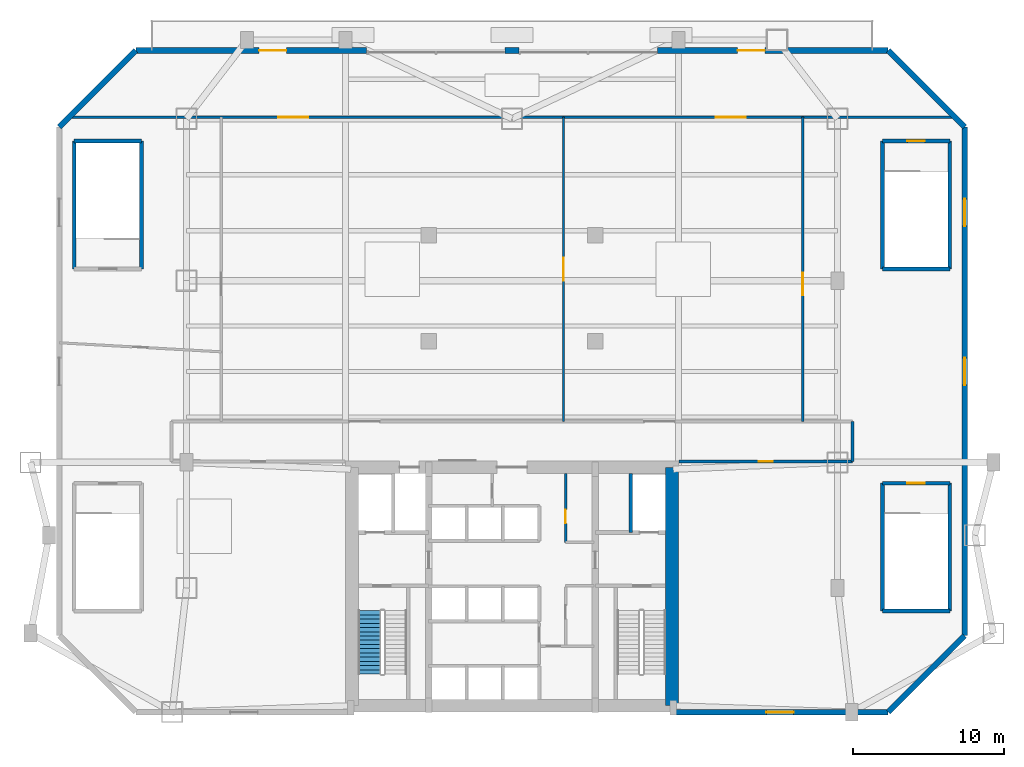
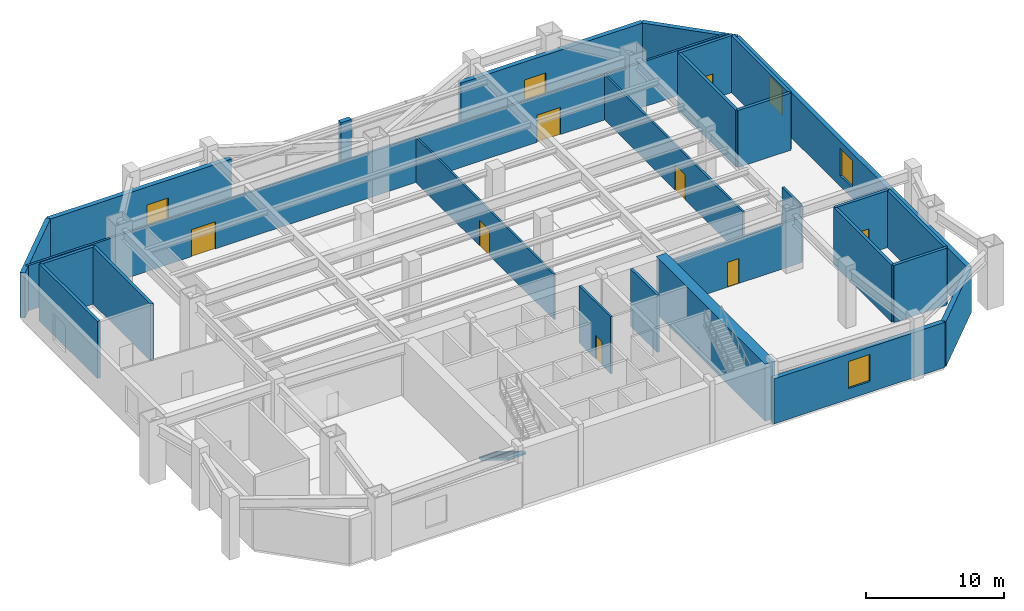
# One storey, part 5 of 8: 27 walls, 10 doors, 3 windows, 1 stair flight, 13 openings, 1 element without a shape of its own.
"""IFC4 building model written with IfcOpenShell, lengths in metres."""

from ifc_helpers import new_model, si_unit, direction, frame, frame_2d, origin, place, context, subcontext, project, spatial, polyline, rectangle, outline, extrude, source, transform, mapped, material, layer, layer_set, type_object, type_shapes, element, fill, aggregate, save


model = new_model("IFC4")

# Units and contexts
model_context = context("Model", 3, precision=1e-05, world=origin(), true_north=direction((0.0, 1.0)))
body_context = subcontext(model_context, "Body", "Model", "MODEL_VIEW")
ifc_project = project(units=[si_unit("LENGTHUNIT", "METRE"), si_unit("AREAUNIT", "SQUARE_METRE"), si_unit("VOLUMEUNIT", "CUBIC_METRE"), si_unit("PLANEANGLEUNIT", "RADIAN"), si_unit("MASSUNIT", "GRAM", prefix="KILO")], contexts=[model_context])

# Site, building, storey
site_placement = place(None, origin())
site = spatial("IfcSite", under=ifc_project, at=site_placement, CompositionType="ELEMENT")
building_placement = place(site_placement, origin())
building = spatial("IfcBuilding", under=site, at=building_placement, Name="Varnakhor Terracotta Tower", CompositionType="ELEMENT")
storey_placement = place(building_placement, frame((0.0, 0.0, 16.5)))
storey = spatial("IfcBuildingStorey", under=building, at=storey_placement, Name="L03", CompositionType="ELEMENT", Elevation=16.5)

# Wall
ifc_material_1 = material(Name="Concrete C60/75", Category="concrete")
ifc_layer_1 = layer(ifc_material_1, 0.85009765625, Name="Concrete C60/75")
ifc_layer_set_1 = layer_set([ifc_layer_1], Name="Concrete C60/75")
wall_type_1 = type_object("IfcWallType", Name="WAL-CORE-850", PredefinedType="SHEAR", material=ifc_layer_set_1)
wall_1_placement = place(storey_placement, frame((10.574951171875, 0.425048828125, 0.0), z_axis=(0.0, 0.0, 1.0), x_axis=(0.0, 1.0, 0.0)))
element("IfcWall", 1, at=wall_1_placement, inside=storey, type_object=wall_type_1, Name="L03 East Core Shear Wall", PredefinedType="SHEAR", context=body_context, shape_type="SweptSolid", body=[
    extrude(rectangle(XDim=15.75, YDim=0.85009765625, at=frame_2d((7.875, 0.0))), origin(), (0.0, 0.0, 1.0), 5.050048828125),
])

# Wall, openings, doors
ifc_material_2 = material(Name="Fire-Rated Gypsum Stud Partition", Category="gypsum")
ifc_layer_2 = layer(ifc_material_2, 0.18505859375, Name="Fire-Rated Gypsum Stud Partition")
ifc_layer_set_2 = layer_set([ifc_layer_2], Name="Fire-Rated Gypsum Stud Partition")
wall_type_2 = type_object("IfcWallType", Name="WAL-CORR-185", PredefinedType="PARTITIONING", material=ifc_layer_set_2)
wall_2_placement = place(storey_placement, frame((-29.23583984375, 39.300048828125, 0.0), z_axis=(0.0, 0.0, 1.0), x_axis=(1.0, 0.0, 0.0)))
wall_2 = element("IfcWall", 2, at=wall_2_placement, inside=storey, type_object=wall_type_2, Name="L03 Pre-Function Lounge Wall", PredefinedType="PARTITIONING", context=body_context, shape_type="SweptSolid", body=[
    extrude(rectangle(XDim=58.4716796875, YDim=0.18505859375, at=frame_2d((29.23583984375, 0.0))), origin(), (0.0, 0.0, 1.0), 4.001953125),
])
opening_1_placement = place(wall_2_placement, frame((13.7880859375, 0.0, 0.0)))
opening_1 = element("IfcOpeningElement", 3, at=opening_1_placement, cuts=wall_2, Name="Opening DR-32", PredefinedType="OPENING", context=body_context, shape_type="SweptSolid", body=[
    extrude(rectangle(XDim=2.0, YDim=2.39990234375, at=frame_2d((1.0, 1.199951171875))), frame((0.0, 0.1025390625, 0.0), z_axis=(0.0, -1.0, 0.0), x_axis=(1.0, 0.0, 0.0)), (0.0, 0.0, 1.0), 0.205078125),
])
opening_2_placement = place(wall_2_placement, frame((42.683837890625, 0.0, 0.0)))
opening_2 = element("IfcOpeningElement", 4, at=opening_2_placement, cuts=wall_2, Name="Opening DR-32", PredefinedType="OPENING", context=body_context, shape_type="SweptSolid", body=[
    extrude(rectangle(XDim=2.0, YDim=2.39990234375, at=frame_2d((1.0, 1.199951171875))), frame((0.0, 0.1025390625, 0.0), z_axis=(0.0, -1.0, 0.0), x_axis=(1.0, 0.0, 0.0)), (0.0, 0.0, 1.0), 0.205078125),
])
ifc_material_3 = material(Name="Acoustic Double Assembly Fire Door", Category="wood")
door_type_1 = type_object("IfcDoorType", Name="DR-HALL-2000X2400", OperationType="NOTDEFINED", PredefinedType="DOOR", material=ifc_material_3)
shared_shape_1 = source(origin(), body_context, "Body", "SweptSolid", [
    extrude(rectangle(XDim=2.0, YDim=2.39990234375, at=frame_2d((1.0, 1.199951171875))), frame((0.0, 0.02490234375, 0.0), z_axis=(0.0, -1.0, 0.0), x_axis=(1.0, 0.0, 0.0)), (0.0, 0.0, 1.0), 0.050048828125),
])
type_shapes(door_type_1, [shared_shape_1])
door_1_placement = place(opening_1_placement, origin())
door_1 = element("IfcDoor", 5, at=door_1_placement, inside=storey, type_object=door_type_1, Name="L03 Hall North Door W", OperationType="DOUBLE_DOOR_SINGLE_SWING", OverallHeight=2.39990234375, OverallWidth=2.0, PredefinedType="DOOR", context=body_context, shape_type="MappedRepresentation", body=[
    mapped(shared_shape_1, transform((0.0, 0.0, 0.0), scale=1.0)),
])
fill(opening_1, door_1)
door_2_placement = place(opening_2_placement, origin())
door_2 = element("IfcDoor", 6, at=door_2_placement, inside=storey, type_object=door_type_1, Name="L03 Hall North Door E", OperationType="DOUBLE_DOOR_SINGLE_SWING", OverallHeight=2.39990234375, OverallWidth=2.0, PredefinedType="DOOR", context=body_context, shape_type="MappedRepresentation", body=[
    mapped(shared_shape_1, transform((0.0, 0.0, 0.0), scale=1.0)),
])
fill(opening_2, door_2)

# Wall
wall_3_placement = place(storey_placement, frame((22.5, 16.550048828125, 0.0), z_axis=(0.0, 0.0, 1.0), x_axis=(0.0, 1.0, 0.0)))
element("IfcWall", 7, at=wall_3_placement, inside=storey, type_object=wall_type_2, Name="L03 South Corridor East End Wall", PredefinedType="PARTITIONING", context=body_context, shape_type="SweptSolid", body=[
    extrude(rectangle(XDim=2.64990234375, YDim=0.18505859375, at=frame_2d((1.324951171875, 0.0))), origin(), (0.0, 0.0, 1.0), 5.0419921875),
])

# Wall, opening, door
wall_4_placement = place(storey_placement, frame((11.02001953125, 16.550048828125, 0.0), z_axis=(0.0, 0.0, 1.0), x_axis=(1.0, 0.0, 0.0)))
wall_4 = element("IfcWall", 8, at=wall_4_placement, inside=storey, type_object=wall_type_2, Name="L03 South East Suite Wall", PredefinedType="PARTITIONING", context=body_context, shape_type="SweptSolid", body=[
    extrude(rectangle(XDim=11.47998046875, YDim=0.18505859375, at=frame_2d((5.739990234375, 0.0))), origin(), (0.0, 0.0, 1.0), 4.001953125),
])
opening_3_placement = place(wall_4_placement, frame((5.264892578125, 0.0, 0.0)))
opening_3 = element("IfcOpeningElement", 9, at=opening_3_placement, cuts=wall_4, Name="Opening DR-94", PredefinedType="OPENING", context=body_context, shape_type="SweptSolid", body=[
    extrude(rectangle(XDim=0.949951171875, YDim=2.199951171875, at=frame_2d((0.47509765625, 1.10009765625))), frame((0.0, 0.1025390625, 0.0), z_axis=(0.0, -1.0, 0.0), x_axis=(1.0, 0.0, 0.0)), (0.0, 0.0, 1.0), 0.205078125),
])
ifc_material_4 = material(Name="Acoustic Glazed-Vision Timber Office Door", Category="wood")
door_type_2 = type_object("IfcDoorType", Name="DR-OFF-950X2200", OperationType="NOTDEFINED", PredefinedType="DOOR", material=ifc_material_4)
shared_shape_2 = source(origin(), body_context, "Body", "SweptSolid", [
    extrude(rectangle(XDim=0.949951171875, YDim=2.199951171875, at=frame_2d((0.47509765625, 1.10009765625))), frame((0.0, 0.02490234375, 0.0), z_axis=(0.0, -1.0, 0.0), x_axis=(1.0, 0.0, 0.0)), (0.0, 0.0, 1.0), 0.050048828125),
])
type_shapes(door_type_2, [shared_shape_2])
door_3_placement = place(opening_3_placement, origin())
door_3 = element("IfcDoor", 10, at=door_3_placement, inside=storey, type_object=door_type_2, Name="L03 SE Suite Door", OperationType="SINGLE_SWING_RIGHT", OverallHeight=2.199951171875, OverallWidth=0.949951171875, PredefinedType="DOOR", context=body_context, shape_type="MappedRepresentation", body=[
    mapped(shared_shape_2, transform((0.0, 0.0, 0.0), scale=1.0)),
])
fill(opening_3, door_3)

# Walls
ifc_material_5 = material(Name="Honed Riyadh Limestone Assembly", Category="masonry")
ifc_layer_3 = layer(ifc_material_5, 0.3798828125, Name="Honed Riyadh Limestone Assembly")
ifc_layer_set_3 = layer_set([ifc_layer_3], Name="Honed Riyadh Limestone Assembly")
wall_type_3 = type_object("IfcWallType", Name="WAL-EXT-LIMESTONE-380", PredefinedType="SOLIDWALL", material=ifc_layer_set_3)
wall_5_placement = place(storey_placement, frame((-29.89990234375, 38.64990234375, 0.0), z_axis=(0.0, 0.0, 1.0), x_axis=(0.707089688307, 0.707123873653, 0.0)))
element("IfcWall", 11, at=wall_5_placement, inside=storey, type_object=wall_type_3, Name="L03 Podium Chamfer Limestone Wall 2", PredefinedType="SOLIDWALL", context=body_context, shape_type="SweptSolid", body=[
    extrude(rectangle(XDim=7.1416015625, YDim=0.3798828125, at=frame_2d((3.57080078125, 0.0))), origin(), (0.0, 0.0, 1.0), 3.989990234375),
])
wall_6_placement = place(storey_placement, frame((-0.449951171875, 43.699951171875, 0.0), z_axis=(0.0, 0.0, 1.0), x_axis=(1.0, 0.0, 0.0)))
element("IfcWall", 12, at=wall_6_placement, inside=storey, type_object=wall_type_3, Name="L03 North Central Stone Pier", PredefinedType="SOLIDWALL", context=body_context, shape_type="SweptSolid", body=[
    extrude(rectangle(XDim=0.89990234375, YDim=0.3798828125, at=frame_2d((0.449951171875, 0.0))), origin(), (0.0, 0.0, 1.0), 3.989990234375),
])

# Wall, opening, door
wall_7_placement = place(storey_placement, frame((-24.85009765625, 43.699951171875, 0.0), z_axis=(0.0, 0.0, 1.0), x_axis=(1.0, 0.0, 0.0)))
wall_7 = element("IfcWall", 13, at=wall_7_placement, inside=storey, type_object=wall_type_3, Name="L03 North Podium Wall NW", PredefinedType="SOLIDWALL", context=body_context, shape_type="SweptSolid", body=[
    extrude(rectangle(XDim=15.25, YDim=0.3798828125, at=frame_2d((7.625, 0.0))), origin(), (0.0, 0.0, 1.0), 3.989990234375),
])
opening_4_placement = place(wall_7_placement, frame((8.14990234375, 0.0, 0.0)))
opening_4 = element("IfcOpeningElement", 14, at=opening_4_placement, cuts=wall_7, Name="Opening DR-18", PredefinedType="OPENING", context=body_context, shape_type="SweptSolid", body=[
    extrude(rectangle(XDim=1.800048828125, YDim=2.39990234375, at=frame_2d((0.89990234375, 1.199951171875))), frame((0.0, 0.199951171875, 0.0), z_axis=(0.0, -1.0, 0.0), x_axis=(1.0, 0.0, 0.0)), (0.0, 0.0, 1.0), 0.39990234375),
])
ifc_material_6 = material(Name="Weather-Sealed Low-E Double Terrace Door", Category="aluminium")
door_type_3 = type_object("IfcDoorType", Name="DR-EXT-TERR-1800X2400", OperationType="NOTDEFINED", PredefinedType="DOOR", material=ifc_material_6)
shared_shape_3 = source(origin(), body_context, "Body", "SweptSolid", [
    extrude(rectangle(XDim=1.800048828125, YDim=2.39990234375, at=frame_2d((0.89990234375, 1.199951171875))), frame((0.0, 0.02490234375, 0.0), z_axis=(0.0, -1.0, 0.0), x_axis=(1.0, 0.0, 0.0)), (0.0, 0.0, 1.0), 0.050048828125),
])
type_shapes(door_type_3, [shared_shape_3])
door_4_placement = place(opening_4_placement, origin())
door_4 = element("IfcDoor", 15, at=door_4_placement, inside=storey, type_object=door_type_3, Name="L03 Garden Terrace Access Door NW", OperationType="DOUBLE_DOOR_SINGLE_SWING", OverallHeight=2.39990234375, OverallWidth=1.800048828125, PredefinedType="DOOR", context=body_context, shape_type="MappedRepresentation", body=[
    mapped(shared_shape_3, transform((0.0, 0.0, 0.0), scale=1.0)),
])
fill(opening_4, door_4)

wall_8_placement = place(storey_placement, frame((9.60009765625, 43.699951171875, 0.0), z_axis=(0.0, 0.0, 1.0), x_axis=(1.0, 0.0, 0.0)))
wall_8 = element("IfcWall", 16, at=wall_8_placement, inside=storey, type_object=wall_type_3, Name="L03 North Podium Wall NE", PredefinedType="SOLIDWALL", context=body_context, shape_type="SweptSolid", body=[
    extrude(rectangle(XDim=15.25, YDim=0.3798828125, at=frame_2d((7.625, 0.0))), origin(), (0.0, 0.0, 1.0), 3.989990234375),
])
opening_5_placement = place(wall_8_placement, frame((5.300048828125, 0.0, 0.0)))
opening_5 = element("IfcOpeningElement", 17, at=opening_5_placement, cuts=wall_8, Name="Opening DR-18", PredefinedType="OPENING", context=body_context, shape_type="SweptSolid", body=[
    extrude(rectangle(XDim=1.800048828125, YDim=2.39990234375, at=frame_2d((0.89990234375, 1.199951171875))), frame((0.0, 0.199951171875, 0.0), z_axis=(0.0, -1.0, 0.0), x_axis=(1.0, 0.0, 0.0)), (0.0, 0.0, 1.0), 0.39990234375),
])
door_5_placement = place(opening_5_placement, origin())
door_5 = element("IfcDoor", 18, at=door_5_placement, inside=storey, type_object=door_type_3, Name="L03 Garden Terrace Access Door NE", OperationType="DOUBLE_DOOR_SINGLE_SWING", OverallHeight=2.39990234375, OverallWidth=1.800048828125, PredefinedType="DOOR", context=body_context, shape_type="MappedRepresentation", body=[
    mapped(shared_shape_3, transform((0.0, 0.0, 0.0), scale=1.0)),
])
fill(opening_5, door_5)

# Wall
wall_9_placement = place(storey_placement, frame((24.85009765625, 43.699951171875, 0.0), z_axis=(0.0, 0.0, 1.0), x_axis=(0.707089688307, -0.707123873653, 0.0)))
element("IfcWall", 19, at=wall_9_placement, inside=storey, type_object=wall_type_3, Name="L03 Podium Chamfer Limestone Wall 4", PredefinedType="SOLIDWALL", context=body_context, shape_type="SweptSolid", body=[
    extrude(rectangle(XDim=7.1416015625, YDim=0.3798828125, at=frame_2d((3.57080078125, 0.0))), origin(), (0.0, 0.0, 1.0), 3.989990234375),
])

# Wall, openings, windows
wall_10_placement = place(storey_placement, frame((29.89990234375, 38.64990234375, 0.0), z_axis=(0.0, 0.0, 1.0), x_axis=(0.0, -1.0, 0.0)))
wall_10 = element("IfcWall", 20, at=wall_10_placement, inside=storey, type_object=wall_type_3, Name="L03 Podium Side Limestone Wall 5", PredefinedType="SOLIDWALL", context=body_context, shape_type="SweptSolid", body=[
    extrude(rectangle(XDim=33.599853515625, YDim=0.3798828125, at=frame_2d((16.7998046875, 0.0))), origin(), (0.0, 0.0, 1.0), 3.989990234375),
])
opening_6_placement = place(wall_10_placement, frame((15.25, 0.0, 0.949951171875)))
opening_6 = element("IfcOpeningElement", 21, at=opening_6_placement, cuts=wall_10, Name="Opening WN-19", PredefinedType="OPENING", context=body_context, shape_type="SweptSolid", body=[
    extrude(rectangle(XDim=1.800048828125, YDim=2.39990234375, at=frame_2d((0.89990234375, 1.199951171875))), frame((0.0, 0.199951171875, 0.0), z_axis=(0.0, -1.0, 0.0), x_axis=(1.0, 0.0, 0.0)), (0.0, 0.0, 1.0), 0.39990234375),
])
opening_7_placement = place(wall_10_placement, frame((4.75, 0.0, 0.949951171875)))
opening_7 = element("IfcOpeningElement", 22, at=opening_7_placement, cuts=wall_10, Name="Opening WN-19", PredefinedType="OPENING", context=body_context, shape_type="SweptSolid", body=[
    extrude(rectangle(XDim=1.800048828125, YDim=2.39990234375, at=frame_2d((0.89990234375, 1.199951171875))), frame((0.0, 0.199951171875, 0.0), z_axis=(0.0, -1.0, 0.0), x_axis=(1.0, 0.0, 0.0)), (0.0, 0.0, 1.0), 0.39990234375),
])
ifc_material_7 = material(Name="Solar-Control Low-E Insulated Glass Unit", Category="glass")
window_type = type_object("IfcWindowType", Name="WIN-POD-1800X2400", PartitioningType="SINGLE_PANEL", PredefinedType="WINDOW", material=ifc_material_7)
shared_shape_4 = source(origin(), body_context, "Body", "SweptSolid", [
    extrude(rectangle(XDim=1.800048828125, YDim=2.39990234375, at=frame_2d((0.89990234375, 1.199951171875))), frame((0.0, 0.030029296875, 0.0), z_axis=(0.0, -1.0, 0.0), x_axis=(1.0, 0.0, 0.0)), (0.0, 0.0, 1.0), 0.06005859375),
])
type_shapes(window_type, [shared_shape_4])
window_1_placement = place(opening_6_placement, origin())
window_1 = element("IfcWindow", 23, at=window_1_placement, inside=storey, type_object=window_type, Name="L03 Side Punched Window 5-2", OverallHeight=2.39990234375, OverallWidth=1.800048828125, PartitioningType="SINGLE_PANEL", PredefinedType="WINDOW", context=body_context, shape_type="MappedRepresentation", body=[
    mapped(shared_shape_4, transform((0.0, 0.0, 0.0), scale=1.0)),
])
fill(opening_6, window_1)
window_2_placement = place(opening_7_placement, origin())
window_2 = element("IfcWindow", 24, at=window_2_placement, inside=storey, type_object=window_type, Name="L03 Side Punched Window 5-3", OverallHeight=2.39990234375, OverallWidth=1.800048828125, PartitioningType="SINGLE_PANEL", PredefinedType="WINDOW", context=body_context, shape_type="MappedRepresentation", body=[
    mapped(shared_shape_4, transform((0.0, 0.0, 0.0), scale=1.0)),
])
fill(opening_7, window_2)

# Wall
wall_11_placement = place(storey_placement, frame((29.89990234375, 5.050048828125, 0.0), z_axis=(0.0, 0.0, 1.0), x_axis=(-0.707089688307, -0.707123873653, 0.0)))
element("IfcWall", 25, at=wall_11_placement, inside=storey, type_object=wall_type_3, Name="L03 Podium Chamfer Limestone Wall 6", PredefinedType="SOLIDWALL", context=body_context, shape_type="SweptSolid", body=[
    extrude(rectangle(XDim=7.1416015625, YDim=0.3798828125, at=frame_2d((3.57080078125, 0.0))), origin(), (0.0, 0.0, 1.0), 3.989990234375),
])

# Wall, opening, window
wall_12_placement = place(storey_placement, frame((24.85009765625, 0.0, 0.0), z_axis=(0.0, 0.0, 1.0), x_axis=(-1.0, 0.0, 0.0)))
wall_12 = element("IfcWall", 26, at=wall_12_placement, inside=storey, type_object=wall_type_3, Name="L03 Limestone Podium Wall SE", PredefinedType="SOLIDWALL", context=body_context, shape_type="SweptSolid", body=[
    extrude(rectangle(XDim=14.300048828125, YDim=0.3798828125, at=frame_2d((7.14990234375, 0.0))), origin(), (0.0, 0.0, 1.0), 3.989990234375),
])
opening_8_placement = place(wall_12_placement, frame((6.25, 0.0, 0.949951171875)))
opening_8 = element("IfcOpeningElement", 27, at=opening_8_placement, cuts=wall_12, Name="Opening WN-19", PredefinedType="OPENING", context=body_context, shape_type="SweptSolid", body=[
    extrude(rectangle(XDim=1.800048828125, YDim=2.39990234375, at=frame_2d((0.89990234375, 1.199951171875))), frame((0.0, 0.199951171875, 0.0), z_axis=(0.0, -1.0, 0.0), x_axis=(1.0, 0.0, 0.0)), (0.0, 0.0, 1.0), 0.39990234375),
])
window_3_placement = place(opening_8_placement, origin())
window_3 = element("IfcWindow", 28, at=window_3_placement, inside=storey, type_object=window_type, Name="L03 Podium Window SE", OverallHeight=2.39990234375, OverallWidth=1.800048828125, PartitioningType="SINGLE_PANEL", PredefinedType="WINDOW", context=body_context, shape_type="MappedRepresentation", body=[
    mapped(shared_shape_4, transform((0.0, 0.0, 0.0), scale=1.0)),
])
fill(opening_8, window_3)

# Wall, opening, door
ifc_material_8 = material(Name="Acoustic Operable Panel Partition", Category="metal")
ifc_layer_4 = layer(ifc_material_8, 0.155029296875, Name="Acoustic Operable Panel Partition")
ifc_layer_set_4 = layer_set([ifc_layer_4], Name="Acoustic Operable Panel Partition")
wall_type_4 = type_object("IfcWallType", Name="WAL-OPERABLE-155", PredefinedType="MOVABLE", material=ifc_layer_set_4)
wall_13_placement = place(storey_placement, frame((3.39990234375, 19.199951171875, 0.0), z_axis=(0.0, 0.0, 1.0), x_axis=(0.0, 1.0, 0.0)))
wall_13 = element("IfcWall", 29, at=wall_13_placement, inside=storey, type_object=wall_type_4, Name="L03 Operable Hall Partition", PredefinedType="MOVABLE", context=body_context, shape_type="SweptSolid", body=[
    extrude(rectangle(XDim=20.10009765625, YDim=0.155029296875, at=frame_2d((10.050048828125, 0.0))), origin(), (0.0, 0.0, 1.0), 4.001953125),
])
opening_9_placement = place(wall_13_placement, frame((9.300048828125, 0.0, 0.0)))
opening_9 = element("IfcOpeningElement", 30, at=opening_9_placement, cuts=wall_13, Name="Opening DR-30", PredefinedType="OPENING", context=body_context, shape_type="SweptSolid", body=[
    extrude(rectangle(XDim=1.5, YDim=2.25, at=frame_2d((0.75, 1.125))), frame((0.0, 0.08740234375, 0.0), z_axis=(0.0, -1.0, 0.0), x_axis=(1.0, 0.0, 0.0)), (0.0, 0.0, 1.0), 0.175048828125),
])
ifc_material_9 = material(Name="Double Acoustic Conference Room Door", Category="wood")
door_type_4 = type_object("IfcDoorType", Name="DR-MEET-1500X2250", OperationType="NOTDEFINED", PredefinedType="DOOR", material=ifc_material_9)
shared_shape_5 = source(origin(), body_context, "Body", "SweptSolid", [
    extrude(rectangle(XDim=1.5, YDim=2.25, at=frame_2d((0.75, 1.125))), frame((0.0, 0.02490234375, 0.0), z_axis=(0.0, -1.0, 0.0), x_axis=(1.0, 0.0, 0.0)), (0.0, 0.0, 1.0), 0.050048828125),
])
type_shapes(door_type_4, [shared_shape_5])
door_6_placement = place(opening_9_placement, origin())
door_6 = element("IfcDoor", 31, at=door_6_placement, inside=storey, type_object=door_type_4, Name="L03 Operable Hall Door", OperationType="DOUBLE_DOOR_SINGLE_SWING", OverallHeight=2.25, OverallWidth=1.5, PredefinedType="DOOR", context=body_context, shape_type="MappedRepresentation", body=[
    mapped(shared_shape_5, transform((0.0, 0.0, 0.0), scale=1.0)),
])
fill(opening_9, door_6)

# Walls
ifc_material_10 = material(Name="Concrete C40/50", Category="concrete")
ifc_layer_5 = layer(ifc_material_10, 0.219970703125, Name="Concrete C40/50")
ifc_layer_set_5 = layer_set([ifc_layer_5], Name="Concrete C40/50")
wall_type_5 = type_object("IfcWallType", Name="WAL-SHAFT-220", PredefinedType="SOLIDWALL", material=ifc_layer_set_5)
wall_14_placement = place(storey_placement, frame((7.840087890625, 11.8701171875, 0.0), z_axis=(0.0, 0.0, 1.0), x_axis=(0.0, 1.0, 0.0)))
element("IfcWall", 32, at=wall_14_placement, inside=storey, type_object=wall_type_5, Name="L03 Lift FFL-2 and Riser Divider Wall", PredefinedType="SOLIDWALL", context=body_context, shape_type="SweptSolid", body=[
    extrude(rectangle(XDim=3.8798828125, YDim=0.219970703125, at=frame_2d((1.93994140625, 0.0))), origin(), (0.0, 0.0, 1.0), 5.050048828125),
])
ifc_layer_6 = layer(ifc_material_10, 0.25, Name="Concrete C40/50")
ifc_layer_set_6 = layer_set([ifc_layer_6], Name="Concrete C40/50")
wall_type_6 = type_object("IfcWallType", Name="WAL-SHAFT-250", PredefinedType="SOLIDWALL", material=ifc_layer_set_6)
for number, where, z_axis, x_axis, name in (
    (33, (24.47998046875, 6.679931640625, 0.0), (0.0, 0.0, 1.0), (0.0, 1.0, 0.0), "L03 ST-P2 Bearing Shaft Wall W"),
    (34, (28.919921875, 6.679931640625, 0.0), (0.0, 0.0, 1.0), (0.0, 1.0, 0.0), "L03 ST-P2 Bearing Shaft Wall E"),
):
    element("IfcWall", number, at=place(storey_placement, frame(where, z_axis=z_axis, x_axis=x_axis)), inside=storey, type_object=wall_type_6, Name=name, PredefinedType="SOLIDWALL", context=body_context, shape_type="SweptSolid", body=[
        extrude(rectangle(XDim=8.440185546875, YDim=0.25, at=frame_2d((4.22021484375, 0.0))), origin(), (0.0, 0.0, 1.0), 5.050048828125),
    ])
wall_15_placement = place(storey_placement, frame((24.47998046875, 6.679931640625, 0.0), z_axis=(0.0, 0.0, 1.0), x_axis=(1.0, 0.0, 0.0)))
element("IfcWall", 35, at=wall_15_placement, inside=storey, type_object=wall_type_6, Name="L03 ST-P2 Bearing Shaft Wall S", PredefinedType="SOLIDWALL", context=body_context, shape_type="SweptSolid", body=[
    extrude(rectangle(XDim=4.43994140625, YDim=0.25, at=frame_2d((2.219970703125, 0.0))), origin(), (0.0, 0.0, 1.0), 5.050048828125),
])

# Wall, opening, door
wall_16_placement = place(storey_placement, frame((28.919921875, 15.1201171875, 0.0), z_axis=(0.0, 0.0, 1.0), x_axis=(-1.0, 0.0, 0.0)))
wall_16 = element("IfcWall", 36, at=wall_16_placement, inside=storey, type_object=wall_type_6, Name="L03 ST-P2 Bearing Shaft Wall N", PredefinedType="SOLIDWALL", context=body_context, shape_type="SweptSolid", body=[
    extrude(rectangle(XDim=4.43994140625, YDim=0.25, at=frame_2d((2.219970703125, 0.0))), origin(), (0.0, 0.0, 1.0), 5.050048828125),
])
opening_10_placement = place(wall_16_placement, frame((1.64501953125, 0.0, 0.0)))
opening_10 = element("IfcOpeningElement", 37, at=opening_10_placement, cuts=wall_16, Name="Opening DR-34", PredefinedType="OPENING", context=body_context, shape_type="SweptSolid", body=[
    extrude(rectangle(XDim=1.14990234375, YDim=2.199951171875, at=frame_2d((0.574951171875, 1.10009765625))), frame((0.0, 0.135009765625, 0.0), z_axis=(0.0, -1.0, 0.0), x_axis=(1.0, 0.0, 0.0)), (0.0, 0.0, 1.0), 0.27001953125),
])
ifc_material_11 = material(Name="Self-Closing Smoke-Sealed Steel Fire Door", Category="steel")
door_type_5 = type_object("IfcDoorType", Name="DR-STAIR-1150X2200", OperationType="NOTDEFINED", PredefinedType="DOOR", material=ifc_material_11)
shared_shape_6 = source(origin(), body_context, "Body", "SweptSolid", [
    extrude(rectangle(XDim=1.14990234375, YDim=2.199951171875, at=frame_2d((0.574951171875, 1.10009765625))), frame((0.0, 0.02490234375, 0.0), z_axis=(0.0, -1.0, 0.0), x_axis=(1.0, 0.0, 0.0)), (0.0, 0.0, 1.0), 0.050048828125),
])
type_shapes(door_type_5, [shared_shape_6])
door_7_placement = place(opening_10_placement, origin())
door_7 = element("IfcDoor", 38, at=door_7_placement, inside=storey, type_object=door_type_5, Name="L03 Exit Stair ST-P2 Fire Door", OperationType="SINGLE_SWING_RIGHT", OverallHeight=2.199951171875, OverallWidth=1.14990234375, PredefinedType="DOOR", context=body_context, shape_type="MappedRepresentation", body=[
    mapped(shared_shape_6, transform((0.0, 0.0, 0.0), scale=1.0)),
])
fill(opening_10, door_7)

# Walls
for number, where, z_axis, x_axis, name in (
    (39, (-28.919921875, 29.280029296875, 0.0), (0.0, 0.0, 1.0), (0.0, 1.0, 0.0), "L03 ST-P3 Bearing Shaft Wall W"),
    (40, (-24.47998046875, 29.280029296875, 0.0), (0.0, 0.0, 1.0), (0.0, 1.0, 0.0), "L03 ST-P3 Bearing Shaft Wall E"),
):
    element("IfcWall", number, at=place(storey_placement, frame(where, z_axis=z_axis, x_axis=x_axis)), inside=storey, type_object=wall_type_6, Name=name, PredefinedType="SOLIDWALL", context=body_context, shape_type="SweptSolid", body=[
        extrude(rectangle(XDim=8.43994140625, YDim=0.25, at=frame_2d((4.219970703125, 0.0))), origin(), (0.0, 0.0, 1.0), 5.050048828125),
    ])
wall_17_placement = place(storey_placement, frame((-24.47998046875, 37.719970703125, 0.0), z_axis=(0.0, 0.0, 1.0), x_axis=(-1.0, 0.0, 0.0)))
element("IfcWall", 41, at=wall_17_placement, inside=storey, type_object=wall_type_6, Name="L03 ST-P3 Bearing Shaft Wall N", PredefinedType="SOLIDWALL", context=body_context, shape_type="SweptSolid", body=[
    extrude(rectangle(XDim=4.43994140625, YDim=0.25, at=frame_2d((2.219970703125, 0.0))), origin(), (0.0, 0.0, 1.0), 5.050048828125),
])
for number, where, z_axis, x_axis, name in (
    (42, (24.47998046875, 29.280029296875, 0.0), (0.0, 0.0, 1.0), (0.0, 1.0, 0.0), "L03 ST-P4 Bearing Shaft Wall W"),
    (43, (28.919921875, 29.280029296875, 0.0), (0.0, 0.0, 1.0), (0.0, 1.0, 0.0), "L03 ST-P4 Bearing Shaft Wall E"),
):
    element("IfcWall", number, at=place(storey_placement, frame(where, z_axis=z_axis, x_axis=x_axis)), inside=storey, type_object=wall_type_6, Name=name, PredefinedType="SOLIDWALL", context=body_context, shape_type="SweptSolid", body=[
        extrude(rectangle(XDim=8.43994140625, YDim=0.25, at=frame_2d((4.219970703125, 0.0))), origin(), (0.0, 0.0, 1.0), 5.050048828125),
    ])
wall_18_placement = place(storey_placement, frame((24.47998046875, 29.280029296875, 0.0), z_axis=(0.0, 0.0, 1.0), x_axis=(1.0, 0.0, 0.0)))
element("IfcWall", 44, at=wall_18_placement, inside=storey, type_object=wall_type_6, Name="L03 ST-P4 Bearing Shaft Wall S", PredefinedType="SOLIDWALL", context=body_context, shape_type="SweptSolid", body=[
    extrude(rectangle(XDim=4.43994140625, YDim=0.25, at=frame_2d((2.219970703125, 0.0))), origin(), (0.0, 0.0, 1.0), 5.050048828125),
])

# Wall, opening, door
wall_19_placement = place(storey_placement, frame((28.919921875, 37.719970703125, 0.0), z_axis=(0.0, 0.0, 1.0), x_axis=(-1.0, 0.0, 0.0)))
wall_19 = element("IfcWall", 45, at=wall_19_placement, inside=storey, type_object=wall_type_6, Name="L03 ST-P4 Bearing Shaft Wall N", PredefinedType="SOLIDWALL", context=body_context, shape_type="SweptSolid", body=[
    extrude(rectangle(XDim=4.43994140625, YDim=0.25, at=frame_2d((2.219970703125, 0.0))), origin(), (0.0, 0.0, 1.0), 5.050048828125),
])
opening_11_placement = place(wall_19_placement, frame((1.64501953125, 0.0, 0.0)))
opening_11 = element("IfcOpeningElement", 46, at=opening_11_placement, cuts=wall_19, Name="Opening DR-34", PredefinedType="OPENING", context=body_context, shape_type="SweptSolid", body=[
    extrude(rectangle(XDim=1.14990234375, YDim=2.199951171875, at=frame_2d((0.574951171875, 1.10009765625))), frame((0.0, 0.135009765625, 0.0), z_axis=(0.0, -1.0, 0.0), x_axis=(1.0, 0.0, 0.0)), (0.0, 0.0, 1.0), 0.27001953125),
])
door_8_placement = place(opening_11_placement, origin())
door_8 = element("IfcDoor", 47, at=door_8_placement, inside=storey, type_object=door_type_5, Name="L03 Exit Stair ST-P4 Fire Door", OperationType="SINGLE_SWING_RIGHT", OverallHeight=2.199951171875, OverallWidth=1.14990234375, PredefinedType="DOOR", context=body_context, shape_type="MappedRepresentation", body=[
    mapped(shared_shape_6, transform((0.0, 0.0, 0.0), scale=1.0)),
])
fill(opening_11, door_8)

ifc_material_12 = material(Name="Acoustic Fire-Rated Partition", Category="gypsum")
ifc_layer_7 = layer(ifc_material_12, 0.1650390625, Name="Acoustic Fire-Rated Partition")
ifc_layer_set_7 = layer_set([ifc_layer_7], Name="Acoustic Fire-Rated Partition")
wall_type_7 = type_object("IfcWallType", Name="WAL-TENANCY-165", PredefinedType="PARTITIONING", material=ifc_layer_set_7)
wall_20_placement = place(storey_placement, frame((3.5400390625, 11.219970703125, 0.0), z_axis=(0.0, 0.0, 1.0), x_axis=(0.0, 1.0, 0.0)))
wall_20 = element("IfcWall", 48, at=wall_20_placement, inside=storey, type_object=wall_type_7, Name="L03 Restroom Corridor Wall", PredefinedType="PARTITIONING", context=body_context, shape_type="SweptSolid", body=[
    extrude(rectangle(XDim=4.530029296875, YDim=0.1650390625, at=frame_2d((2.26513671875, 0.0))), origin(), (0.0, 0.0, 1.0), 5.0419921875),
])
opening_12_placement = place(wall_20_placement, frame((1.25, 0.0, 0.0)))
opening_12 = element("IfcOpeningElement", 49, at=opening_12_placement, cuts=wall_20, Name="Opening DR-67", PredefinedType="OPENING", context=body_context, shape_type="SweptSolid", body=[
    extrude(rectangle(XDim=0.89990234375, YDim=2.10009765625, at=frame_2d((0.449951171875, 1.050048828125))), frame((0.0, 0.092529296875, 0.0), z_axis=(0.0, -1.0, 0.0), x_axis=(1.0, 0.0, 0.0)), (0.0, 0.0, 1.0), 0.18505859375),
])
ifc_material_13 = material(Name="Steel Service Riser Fire Door", Category="steel")
door_type_6 = type_object("IfcDoorType", Name="DR-RISER-900X2100", OperationType="NOTDEFINED", PredefinedType="DOOR", material=ifc_material_13)
shared_shape_7 = source(origin(), body_context, "Body", "SweptSolid", [
    extrude(rectangle(XDim=0.89990234375, YDim=2.10009765625, at=frame_2d((0.449951171875, 1.050048828125))), frame((0.0, 0.02490234375, 0.0), z_axis=(0.0, -1.0, 0.0), x_axis=(1.0, 0.0, 0.0)), (0.0, 0.0, 1.0), 0.050048828125),
])
type_shapes(door_type_6, [shared_shape_7])
door_9_placement = place(opening_12_placement, origin())
door_9 = element("IfcDoor", 50, at=door_9_placement, inside=storey, type_object=door_type_6, Name="L03 Female WC Door", OperationType="SINGLE_SWING_RIGHT", OverallHeight=2.10009765625, OverallWidth=0.89990234375, PredefinedType="DOOR", context=body_context, shape_type="MappedRepresentation", body=[
    mapped(shared_shape_7, transform((0.0, 0.0, 0.0), scale=1.0)),
])
fill(opening_12, door_9)

wall_21_placement = place(storey_placement, frame((19.199951171875, 19.199951171875, 0.0), z_axis=(0.0, 0.0, 1.0), x_axis=(0.0, 1.0, 0.0)))
wall_21 = element("IfcWall", 51, at=wall_21_placement, inside=storey, type_object=wall_type_7, Name="L03 Hall East Acoustic Wall", PredefinedType="PARTITIONING", context=body_context, shape_type="SweptSolid", body=[
    extrude(rectangle(XDim=20.10009765625, YDim=0.1650390625, at=frame_2d((10.050048828125, 0.0))), origin(), (0.0, 0.0, 1.0), 4.001953125),
])
opening_13_placement = place(wall_21_placement, frame((8.3291015625, 0.0, 0.0)))
opening_13 = element("IfcOpeningElement", 52, at=opening_13_placement, cuts=wall_21, Name="Opening DR-30", PredefinedType="OPENING", context=body_context, shape_type="SweptSolid", body=[
    extrude(rectangle(XDim=1.5, YDim=2.25, at=frame_2d((0.75, 1.125))), frame((0.0, 0.092529296875, 0.0), z_axis=(0.0, -1.0, 0.0), x_axis=(1.0, 0.0, 0.0)), (0.0, 0.0, 1.0), 0.18505859375),
])
door_10_placement = place(opening_13_placement, origin())
door_10 = element("IfcDoor", 53, at=door_10_placement, inside=storey, type_object=door_type_4, Name="L03 East Suite Door", OperationType="DOUBLE_DOOR_SINGLE_SWING", OverallHeight=2.25, OverallWidth=1.5, PredefinedType="DOOR", context=body_context, shape_type="MappedRepresentation", body=[
    mapped(shared_shape_5, transform((0.0, 0.0, 0.0), scale=1.0)),
])
fill(opening_13, door_10)

# Stair, stair flight
stair_type = type_object("IfcStairType", Name="STR-CORE-OFFICE-1500", PredefinedType="HALF_TURN_STAIR", material=ifc_material_10)
stair_placement = place(storey_placement, origin())
stair = element("IfcStair", 54, at=stair_placement, inside=storey, type_object=stair_type, Name="L03 Core Exit Stair ST-1", PredefinedType="HALF_TURN_STAIR")
stair_flight_type = type_object("IfcStairFlightType", Name="FLT-CORE-1500", PredefinedType="STRAIGHT", material=ifc_material_10)
stair_flight_placement = place(storey_placement, frame((-9.39990234375, 6.7099609375, 0.0), z_axis=(0.0, 0.0, 1.0), x_axis=(0.0, -1.0, 0.0)))
stair_flight = element("IfcStairFlight", 55, at=stair_flight_placement, type_object=stair_flight_type, Name="ST-1 flight 1", NumberOfRisers=16, NumberOfTreads=15, PredefinedType="STRAIGHT", RiserHeight=0.171875, TreadLength=0.28, context=body_context, shape_type="SweptSolid", body=[
    extrude(outline(polyline([(0.0, 0.0), (0.0, 0.171875), (0.280029296875, 0.171875), (0.280029296875, 0.34375), (0.56005859375, 0.34375), (0.56005859375, 0.515625), (0.840087890625, 0.515625), (0.840087890625, 0.6875), (1.1201171875, 0.6875), (1.1201171875, 0.859375), (1.39990234375, 0.859375), (1.39990234375, 1.03125), (1.679931640625, 1.03125), (1.679931640625, 1.203125), (1.9599609375, 1.203125), (1.9599609375, 1.375), (2.239990234375, 1.375), (2.239990234375, 1.546875), (2.52001953125, 1.546875), (2.52001953125, 1.71875), (2.800048828125, 1.71875), (2.800048828125, 1.890625), (3.080078125, 1.890625), (3.080078125, 2.0625), (3.360107421875, 2.0625), (3.360107421875, 2.234375), (3.639892578125, 2.234375), (3.639892578125, 2.40625), (3.919921875, 2.40625), (3.919921875, 2.578125), (4.199951171875, 2.578125), (4.199951171875, 2.75), (4.199951171875, 2.390380859375), (0.3056640625, 0.0), (0.0, 0.0)])), frame((0.0, 0.75, 0.0), z_axis=(0.0, -1.0, 0.0), x_axis=(1.0, 0.0, 0.0)), (0.0, 0.0, 1.0), 1.5),
])
aggregate(stair, [stair_flight])

save(model, "model.ifc")
